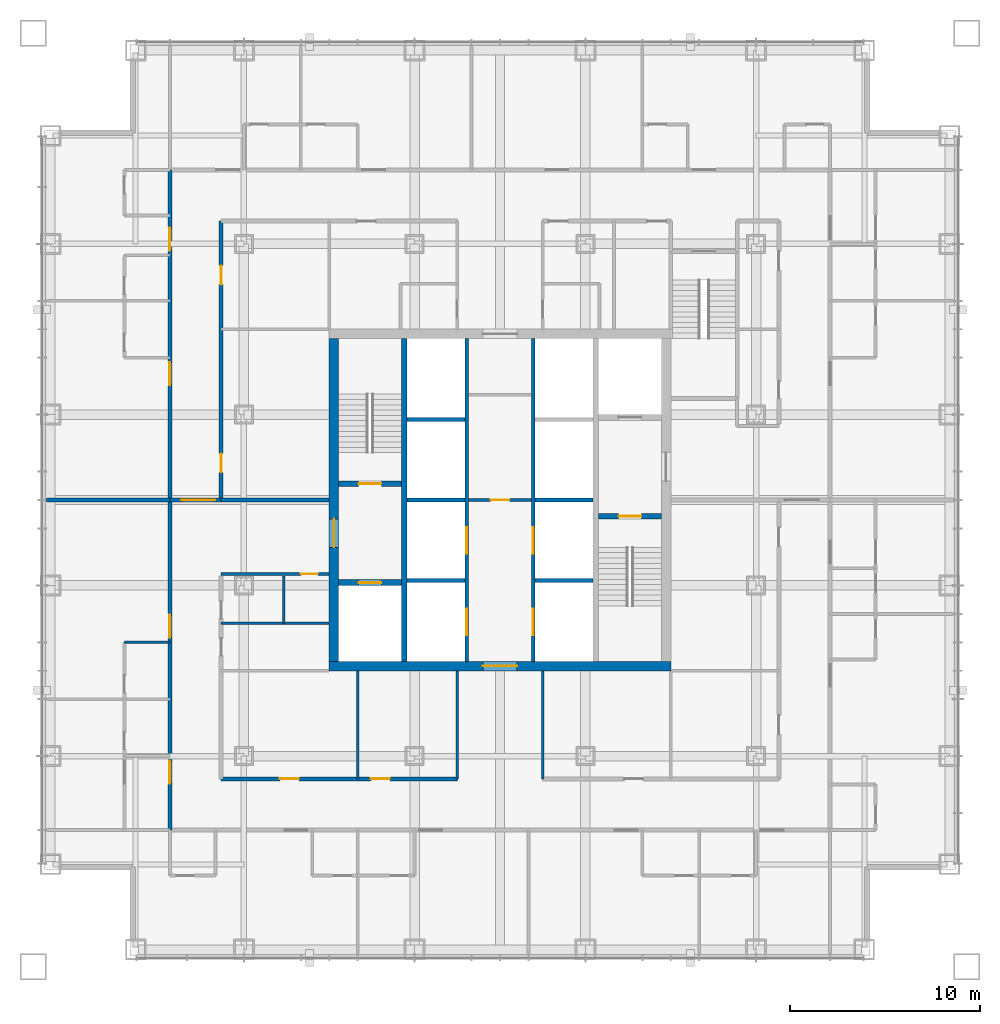
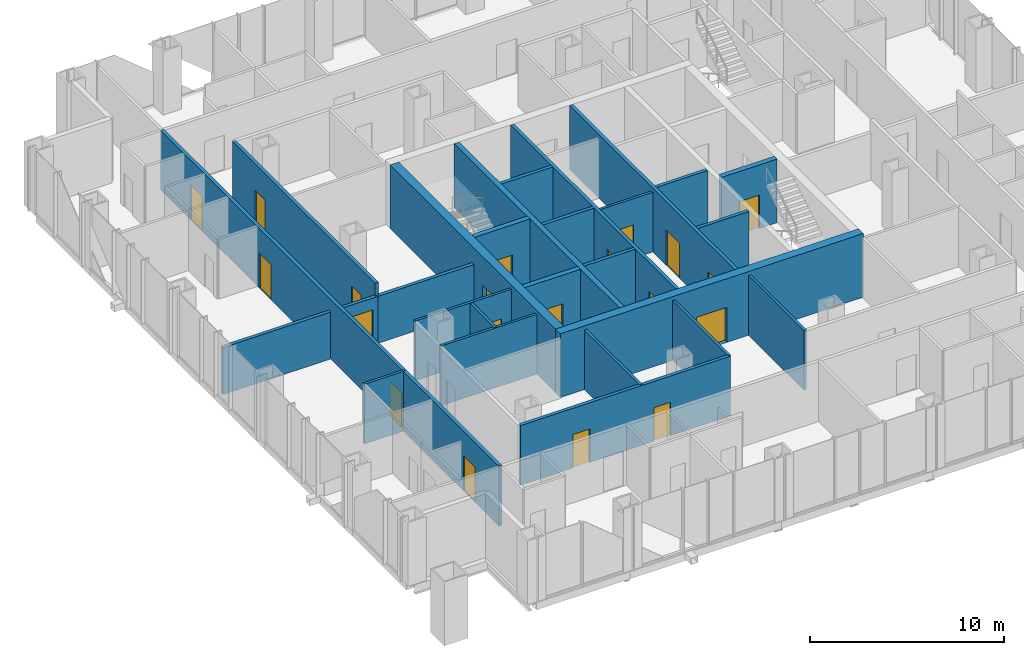
# One storey, part 9 of 14: 27 walls, 20 doors, 20 openings.
"""IFC4 building model written with IfcOpenShell, lengths in metres."""

from ifc_helpers import new_model, si_unit, direction, frame, frame_2d, origin, place, context, subcontext, project, spatial, rectangle, extrude, material, layer, layer_set, type_object, element, fill, save


model = new_model("IFC4")

# Units and contexts
model_context = context("Model", 3, precision=1e-05, world=origin(), true_north=direction((0.0, 1.0)))
body_context = subcontext(model_context, "Body", "Model", "MODEL_VIEW")
ifc_project = project(units=[si_unit("LENGTHUNIT", "METRE"), si_unit("AREAUNIT", "SQUARE_METRE"), si_unit("VOLUMEUNIT", "CUBIC_METRE"), si_unit("PLANEANGLEUNIT", "RADIAN"), si_unit("MASSUNIT", "GRAM", prefix="KILO")], contexts=[model_context])

# Site, building, storey
site_placement = place(None, origin())
site = spatial("IfcSite", under=ifc_project, at=site_placement, CompositionType="ELEMENT")
building_placement = place(site_placement, origin())
building = spatial("IfcBuilding", under=site, at=building_placement, Name="Malebo Sky Hospital", CompositionType="ELEMENT")
storey_placement = place(building_placement, frame((0.0, 0.0, 128.0)))
storey = spatial("IfcBuildingStorey", under=building, at=storey_placement, Name="L30", CompositionType="ELEMENT", Elevation=128.0)

# Wall, openings, doors
ifc_material_1 = material(Name="Concrete C80/95", Category="concrete")
ifc_layer_1 = layer(ifc_material_1, 0.199951171875)
ifc_layer_set_1 = layer_set([ifc_layer_1], Name="CORE INNER WALL 200")
wall_type_1 = type_object("IfcWallType", Name="CORE INNER WALL 200", PredefinedType="SHEAR", material=ifc_layer_set_1)
wall_1_placement = place(storey_placement, frame((58.25, 53.5, 0.0), z_axis=(0.0, 0.0, 1.0), x_axis=(0.0, 1.0, 0.0)))
wall_1 = element("IfcWall", 1, at=wall_1_placement, inside=storey, type_object=wall_type_1, Name="Core wall LW L30", PredefinedType="SHEAR", context=body_context, shape_type="SweptSolid", body=[
    extrude(rectangle(XDim=17.0, YDim=0.199951171875, at=frame_2d((8.5, 0.0))), origin(), (0.0, 0.0, 1.0), 4.0),
])
opening_1_placement = place(wall_1_placement, frame((1.375, 0.0, 0.0)))
opening_1 = element("IfcOpeningElement", 2, at=opening_1_placement, cuts=wall_1, Name="Opening LD1", PredefinedType="OPENING", context=body_context, shape_type="SweptSolid", body=[
    extrude(rectangle(XDim=1.39990234375, YDim=2.199951171875, at=frame_2d((0.699951171875, 1.10009765625))), frame((0.0, 0.10986328125, 0.0), z_axis=(0.0, -1.0, 0.0), x_axis=(1.0, 0.0, 0.0)), (0.0, 0.0, 1.0), 0.219970703125),
])
opening_2_placement = place(wall_1_placement, frame((5.675048828125, 0.0, 0.0)))
opening_2 = element("IfcOpeningElement", 3, at=opening_2_placement, cuts=wall_1, Name="Opening LD1", PredefinedType="OPENING", context=body_context, shape_type="SweptSolid", body=[
    extrude(rectangle(XDim=1.39990234375, YDim=2.199951171875, at=frame_2d((0.699951171875, 1.10009765625))), frame((0.0, 0.10986328125, 0.0), z_axis=(0.0, -1.0, 0.0), x_axis=(1.0, 0.0, 0.0)), (0.0, 0.0, 1.0), 0.219970703125),
])
ifc_material_2 = material(Name="Stainless steel sliding landing door", Category="steel")
door_type_1 = type_object("IfcDoorType", Name="LIFT LANDING DOOR 1400", OperationType="SLIDING_TO_LEFT", PredefinedType="DOOR", material=ifc_material_2)
door_1_placement = place(opening_1_placement, origin())
door_1 = element("IfcDoor", 4, at=door_1_placement, inside=storey, type_object=door_type_1, Name="Lift W1 landing door", OperationType="SLIDING_TO_LEFT", OverallHeight=2.199951171875, OverallWidth=1.39990234375, PredefinedType="DOOR", context=body_context, shape_type="SweptSolid", body=[
    extrude(rectangle(XDim=1.39990234375, YDim=2.199951171875, at=frame_2d((0.699951171875, 1.10009765625))), frame((0.0, 0.02490234375, 0.0), z_axis=(0.0, -1.0, 0.0), x_axis=(1.0, 0.0, 0.0)), (0.0, 0.0, 1.0), 0.050048828125),
])
fill(opening_1, door_1)
door_2_placement = place(opening_2_placement, origin())
door_2 = element("IfcDoor", 5, at=door_2_placement, inside=storey, type_object=door_type_1, Name="Lift W2 landing door", OperationType="SLIDING_TO_LEFT", OverallHeight=2.199951171875, OverallWidth=1.39990234375, PredefinedType="DOOR", context=body_context, shape_type="SweptSolid", body=[
    extrude(rectangle(XDim=1.39990234375, YDim=2.199951171875, at=frame_2d((0.699951171875, 1.10009765625))), frame((0.0, 0.02490234375, 0.0), z_axis=(0.0, -1.0, 0.0), x_axis=(1.0, 0.0, 0.0)), (0.0, 0.0, 1.0), 0.050048828125),
])
fill(opening_2, door_2)

wall_2_placement = place(storey_placement, frame((61.75, 53.5, 0.0), z_axis=(0.0, 0.0, 1.0), x_axis=(0.0, 1.0, 0.0)))
wall_2 = element("IfcWall", 6, at=wall_2_placement, inside=storey, type_object=wall_type_1, Name="Core wall LE L30", PredefinedType="SHEAR", context=body_context, shape_type="SweptSolid", body=[
    extrude(rectangle(XDim=17.0, YDim=0.199951171875, at=frame_2d((8.5, 0.0))), origin(), (0.0, 0.0, 1.0), 4.0),
])
opening_3_placement = place(wall_2_placement, frame((1.375, 0.0, 0.0)))
opening_3 = element("IfcOpeningElement", 7, at=opening_3_placement, cuts=wall_2, Name="Opening LD1", PredefinedType="OPENING", context=body_context, shape_type="SweptSolid", body=[
    extrude(rectangle(XDim=1.39990234375, YDim=2.199951171875, at=frame_2d((0.699951171875, 1.10009765625))), frame((0.0, 0.10986328125, 0.0), z_axis=(0.0, -1.0, 0.0), x_axis=(1.0, 0.0, 0.0)), (0.0, 0.0, 1.0), 0.219970703125),
])
opening_4_placement = place(wall_2_placement, frame((5.675048828125, 0.0, 0.0)))
opening_4 = element("IfcOpeningElement", 8, at=opening_4_placement, cuts=wall_2, Name="Opening LD1", PredefinedType="OPENING", context=body_context, shape_type="SweptSolid", body=[
    extrude(rectangle(XDim=1.39990234375, YDim=2.199951171875, at=frame_2d((0.699951171875, 1.10009765625))), frame((0.0, 0.10986328125, 0.0), z_axis=(0.0, -1.0, 0.0), x_axis=(1.0, 0.0, 0.0)), (0.0, 0.0, 1.0), 0.219970703125),
])
door_3_placement = place(opening_3_placement, origin())
door_3 = element("IfcDoor", 9, at=door_3_placement, inside=storey, type_object=door_type_1, Name="Lift E1 landing door", OperationType="SLIDING_TO_LEFT", OverallHeight=2.199951171875, OverallWidth=1.39990234375, PredefinedType="DOOR", context=body_context, shape_type="SweptSolid", body=[
    extrude(rectangle(XDim=1.39990234375, YDim=2.199951171875, at=frame_2d((0.699951171875, 1.10009765625))), frame((0.0, 0.02490234375, 0.0), z_axis=(0.0, -1.0, 0.0), x_axis=(1.0, 0.0, 0.0)), (0.0, 0.0, 1.0), 0.050048828125),
])
fill(opening_3, door_3)
door_4_placement = place(opening_4_placement, origin())
door_4 = element("IfcDoor", 10, at=door_4_placement, inside=storey, type_object=door_type_1, Name="Lift E2 landing door", OperationType="SLIDING_TO_LEFT", OverallHeight=2.199951171875, OverallWidth=1.39990234375, PredefinedType="DOOR", context=body_context, shape_type="SweptSolid", body=[
    extrude(rectangle(XDim=1.39990234375, YDim=2.199951171875, at=frame_2d((0.699951171875, 1.10009765625))), frame((0.0, 0.02490234375, 0.0), z_axis=(0.0, -1.0, 0.0), x_axis=(1.0, 0.0, 0.0)), (0.0, 0.0, 1.0), 0.050048828125),
])
fill(opening_4, door_4)

# Walls
for number, where, z_axis, x_axis, name in (
    (11, (55.10009765625, 57.75, 0.0), (0.0, 0.0, 1.0), (1.0, 0.0, 0.0), "Core wall SW0 L30"),
    (12, (61.85009765625, 57.75, 0.0), (0.0, 0.0, 1.0), (1.0, 0.0, 0.0), "Core wall SE0 L30"),
    (13, (55.10009765625, 62.0, 0.0), (0.0, 0.0, 1.0), (1.0, 0.0, 0.0), "Core wall SW1 L30"),
    (14, (61.85009765625, 62.0, 0.0), (0.0, 0.0, 1.0), (1.0, 0.0, 0.0), "Core wall SE1 L30"),
    (15, (55.10009765625, 66.25, 0.0), (0.0, 0.0, 1.0), (1.0, 0.0, 0.0), "Core wall SW2 L30"),
):
    element("IfcWall", number, at=place(storey_placement, frame(where, z_axis=z_axis, x_axis=x_axis)), inside=storey, type_object=wall_type_1, Name=name, PredefinedType="SHEAR", context=body_context, shape_type="SweptSolid", body=[
        extrude(rectangle(XDim=3.0498046875, YDim=0.199951171875, at=frame_2d((1.52490234375, 0.0))), origin(), (0.0, 0.0, 1.0), 4.0),
    ])
ifc_layer_2 = layer(ifc_material_1, 0.300048828125)
ifc_layer_set_2 = layer_set([ifc_layer_2], Name="CORE INNER WALL 300")
wall_type_2 = type_object("IfcWallType", Name="CORE INNER WALL 300", PredefinedType="SHEAR", material=ifc_layer_set_2)
wall_3_placement = place(storey_placement, frame((54.949951171875, 53.5, 0.0), z_axis=(0.0, 0.0, 1.0), x_axis=(0.0, 1.0, 0.0)))
element("IfcWall", 16, at=wall_3_placement, inside=storey, type_object=wall_type_2, Name="Core wall XW L30", PredefinedType="SHEAR", context=body_context, shape_type="SweptSolid", body=[
    extrude(rectangle(XDim=17.0, YDim=0.300048828125, at=frame_2d((8.5, 0.0))), origin(), (0.0, 0.0, 1.0), 4.0),
])

# Wall, opening, door
wall_4_placement = place(storey_placement, frame((51.5, 62.85009765625, 0.0), z_axis=(0.0, 0.0, 1.0), x_axis=(1.0, 0.0, 0.0)))
wall_4 = element("IfcWall", 17, at=wall_4_placement, inside=storey, type_object=wall_type_2, Name="Core wall W1 L30", PredefinedType="SHEAR", context=body_context, shape_type="SweptSolid", body=[
    extrude(rectangle(XDim=3.300048828125, YDim=0.300048828125, at=frame_2d((1.64990234375, 0.0))), origin(), (0.0, 0.0, 1.0), 4.0),
])
opening_5_placement = place(wall_4_placement, frame((1.050048828125, 0.0, 0.0)))
opening_5 = element("IfcOpeningElement", 18, at=opening_5_placement, cuts=wall_4, Name="Opening D08", PredefinedType="OPENING", context=body_context, shape_type="SweptSolid", body=[
    extrude(rectangle(XDim=1.199951171875, YDim=2.10009765625, at=frame_2d((0.60009765625, 1.050048828125))), frame((0.0, 0.159912109375, 0.0), z_axis=(0.0, -1.0, 0.0), x_axis=(1.0, 0.0, 0.0)), (0.0, 0.0, 1.0), 0.320068359375),
])
ifc_material_3 = material(Name="Hardwood-faced door leaf in steel frame", Category="steel")
door_type_2 = type_object("IfcDoorType", Name="STAIR DOOR 1200", OperationType="SINGLE_SWING_LEFT", PredefinedType="DOOR", material=ifc_material_3)
door_5_placement = place(opening_5_placement, origin())
door_5 = element("IfcDoor", 19, at=door_5_placement, inside=storey, type_object=door_type_2, Name="Stair S1 door", OperationType="SINGLE_SWING_LEFT", OverallHeight=2.10009765625, OverallWidth=1.199951171875, PredefinedType="DOOR", context=body_context, shape_type="SweptSolid", body=[
    extrude(rectangle(XDim=1.199951171875, YDim=2.10009765625, at=frame_2d((0.60009765625, 1.050048828125))), frame((0.0, 0.02490234375, 0.0), z_axis=(0.0, -1.0, 0.0), x_axis=(1.0, 0.0, 0.0)), (0.0, 0.0, 1.0), 0.050048828125),
])
fill(opening_5, door_5)

wall_5_placement = place(storey_placement, frame((51.5, 57.64990234375, 0.0), z_axis=(0.0, 0.0, 1.0), x_axis=(1.0, 0.0, 0.0)))
wall_5 = element("IfcWall", 20, at=wall_5_placement, inside=storey, type_object=wall_type_2, Name="Core wall W2 L30", PredefinedType="SHEAR", context=body_context, shape_type="SweptSolid", body=[
    extrude(rectangle(XDim=3.300048828125, YDim=0.300048828125, at=frame_2d((1.64990234375, 0.0))), origin(), (0.0, 0.0, 1.0), 4.0),
])
opening_6_placement = place(wall_5_placement, frame((1.050048828125, 0.0, 0.0)))
opening_6 = element("IfcOpeningElement", 21, at=opening_6_placement, cuts=wall_5, Name="Opening LD2", PredefinedType="OPENING", context=body_context, shape_type="SweptSolid", body=[
    extrude(rectangle(XDim=1.199951171875, YDim=2.199951171875, at=frame_2d((0.60009765625, 1.10009765625))), frame((0.0, 0.159912109375, 0.0), z_axis=(0.0, -1.0, 0.0), x_axis=(1.0, 0.0, 0.0)), (0.0, 0.0, 1.0), 0.320068359375),
])
door_type_3 = type_object("IfcDoorType", Name="FIRE-FIGHTING LIFT LANDING DOOR 1200", OperationType="SLIDING_TO_LEFT", PredefinedType="DOOR", material=ifc_material_2)
door_6_placement = place(opening_6_placement, origin())
door_6 = element("IfcDoor", 22, at=door_6_placement, inside=storey, type_object=door_type_3, Name="Lift FL1 landing door", OperationType="SLIDING_TO_LEFT", OverallHeight=2.199951171875, OverallWidth=1.199951171875, PredefinedType="DOOR", context=body_context, shape_type="SweptSolid", body=[
    extrude(rectangle(XDim=1.199951171875, YDim=2.199951171875, at=frame_2d((0.60009765625, 1.10009765625))), frame((0.0, 0.02490234375, 0.0), z_axis=(0.0, -1.0, 0.0), x_axis=(1.0, 0.0, 0.0)), (0.0, 0.0, 1.0), 0.050048828125),
])
fill(opening_6, door_6)

wall_6_placement = place(storey_placement, frame((65.199951171875, 61.14990234375, 0.0), z_axis=(0.0, 0.0, 1.0), x_axis=(1.0, 0.0, 0.0)))
wall_6 = element("IfcWall", 23, at=wall_6_placement, inside=storey, type_object=wall_type_2, Name="Core wall E1 L30", PredefinedType="SHEAR", context=body_context, shape_type="SweptSolid", body=[
    extrude(rectangle(XDim=3.300048828125, YDim=0.300048828125, at=frame_2d((1.64990234375, 0.0))), origin(), (0.0, 0.0, 1.0), 4.0),
])
opening_7_placement = place(wall_6_placement, frame((1.050048828125, 0.0, 0.0)))
opening_7 = element("IfcOpeningElement", 24, at=opening_7_placement, cuts=wall_6, Name="Opening D08", PredefinedType="OPENING", context=body_context, shape_type="SweptSolid", body=[
    extrude(rectangle(XDim=1.199951171875, YDim=2.10009765625, at=frame_2d((0.60009765625, 1.050048828125))), frame((0.0, 0.159912109375, 0.0), z_axis=(0.0, -1.0, 0.0), x_axis=(1.0, 0.0, 0.0)), (0.0, 0.0, 1.0), 0.320068359375),
])
door_7_placement = place(opening_7_placement, origin())
door_7 = element("IfcDoor", 25, at=door_7_placement, inside=storey, type_object=door_type_2, Name="Stair S2 door", OperationType="SINGLE_SWING_LEFT", OverallHeight=2.10009765625, OverallWidth=1.199951171875, PredefinedType="DOOR", context=body_context, shape_type="SweptSolid", body=[
    extrude(rectangle(XDim=1.199951171875, YDim=2.10009765625, at=frame_2d((0.60009765625, 1.050048828125))), frame((0.0, 0.02490234375, 0.0), z_axis=(0.0, -1.0, 0.0), x_axis=(1.0, 0.0, 0.0)), (0.0, 0.0, 1.0), 0.050048828125),
])
fill(opening_7, door_7)

ifc_layer_3 = layer(ifc_material_1, 0.5)
ifc_layer_set_3 = layer_set([ifc_layer_3], Name="CORE WALL 500")
wall_type_3 = type_object("IfcWallType", Name="CORE WALL 500", PredefinedType="SHEAR", material=ifc_layer_set_3)
wall_7_placement = place(storey_placement, frame((51.0, 53.25, 0.0), z_axis=(0.0, 0.0, 1.0), x_axis=(1.0, 0.0, 0.0)))
wall_7 = element("IfcWall", 26, at=wall_7_placement, inside=storey, type_object=wall_type_3, Name="Core wall S L30", PredefinedType="SHEAR", context=body_context, shape_type="SweptSolid", body=[
    extrude(rectangle(XDim=18.0, YDim=0.5, at=frame_2d((9.0, 0.0))), origin(), (0.0, 0.0, 1.0), 4.0),
])
opening_8_placement = place(wall_7_placement, frame((8.10009765625, 0.0, 0.0)))
opening_8 = element("IfcOpeningElement", 27, at=opening_8_placement, cuts=wall_7, Name="Opening D06", PredefinedType="OPENING", context=body_context, shape_type="SweptSolid", body=[
    extrude(rectangle(XDim=1.800048828125, YDim=2.199951171875, at=frame_2d((0.89990234375, 1.10009765625))), frame((0.0, 0.260009765625, 0.0), z_axis=(0.0, -1.0, 0.0), x_axis=(1.0, 0.0, 0.0)), (0.0, 0.0, 1.0), 0.52001953125),
])
door_type_4 = type_object("IfcDoorType", Name="LOBBY DOOR PAIR 1800", OperationType="DOUBLE_DOOR_SINGLE_SWING", PredefinedType="DOOR", material=ifc_material_3)
door_8_placement = place(opening_8_placement, origin())
door_8 = element("IfcDoor", 28, at=door_8_placement, inside=storey, type_object=door_type_4, Name="Lift lobby door south", OperationType="DOUBLE_DOOR_SINGLE_SWING", OverallHeight=2.199951171875, OverallWidth=1.800048828125, PredefinedType="DOOR", context=body_context, shape_type="SweptSolid", body=[
    extrude(rectangle(XDim=1.800048828125, YDim=2.199951171875, at=frame_2d((0.89990234375, 1.10009765625))), frame((0.0, 0.02490234375, 0.0), z_axis=(0.0, -1.0, 0.0), x_axis=(1.0, 0.0, 0.0)), (0.0, 0.0, 1.0), 0.050048828125),
])
fill(opening_8, door_8)

wall_8_placement = place(storey_placement, frame((51.25, 53.5, 0.0), z_axis=(0.0, 0.0, 1.0), x_axis=(0.0, 1.0, 0.0)))
wall_8 = element("IfcWall", 29, at=wall_8_placement, inside=storey, type_object=wall_type_3, Name="Core wall W L30", PredefinedType="SHEAR", context=body_context, shape_type="SweptSolid", body=[
    extrude(rectangle(XDim=17.0, YDim=0.5, at=frame_2d((8.5, 0.0))), origin(), (0.0, 0.0, 1.0), 4.0),
])
opening_9_placement = place(wall_8_placement, frame((6.0, 0.0, 0.0)))
opening_9 = element("IfcOpeningElement", 30, at=opening_9_placement, cuts=wall_8, Name="Opening D07", PredefinedType="OPENING", context=body_context, shape_type="SweptSolid", body=[
    extrude(rectangle(XDim=1.5, YDim=2.199951171875, at=frame_2d((0.75, 1.10009765625))), frame((0.0, 0.260009765625, 0.0), z_axis=(0.0, -1.0, 0.0), x_axis=(1.0, 0.0, 0.0)), (0.0, 0.0, 1.0), 0.52001953125),
])
door_type_5 = type_object("IfcDoorType", Name="FIRE-FIGHTING LOBBY DOOR PAIR 1500", OperationType="DOUBLE_DOOR_SINGLE_SWING", PredefinedType="DOOR", material=ifc_material_3)
door_9_placement = place(opening_9_placement, origin())
door_9 = element("IfcDoor", 31, at=door_9_placement, inside=storey, type_object=door_type_5, Name="Fire-fighting lobby door west", OperationType="DOUBLE_DOOR_SINGLE_SWING", OverallHeight=2.199951171875, OverallWidth=1.5, PredefinedType="DOOR", context=body_context, shape_type="SweptSolid", body=[
    extrude(rectangle(XDim=1.5, YDim=2.199951171875, at=frame_2d((0.75, 1.10009765625))), frame((0.0, 0.02490234375, 0.0), z_axis=(0.0, -1.0, 0.0), x_axis=(1.0, 0.0, 0.0)), (0.0, 0.0, 1.0), 0.050048828125),
])
fill(opening_9, door_9)

# Wall, openings, doors
ifc_material_4 = material(Name="Gypsum board on steel studs", Category="steel")
ifc_layer_4 = layer(ifc_material_4, 0.199951171875)
ifc_layer_set_4 = layer_set([ifc_layer_4], Name="CORRIDOR WALL 200")
wall_type_4 = type_object("IfcWallType", Name="CORRIDOR WALL 200", PredefinedType="PARTITIONING", material=ifc_layer_set_4)
wall_9_placement = place(storey_placement, frame((42.60009765625, 44.60009765625, 0.0), z_axis=(0.0, 0.0, 1.0), x_axis=(0.0, 1.0, 0.0)))
wall_9 = element("IfcWall", 32, at=wall_9_placement, inside=storey, type_object=wall_type_4, Name="Corridor Wall 200 WCO", PredefinedType="PARTITIONING", context=body_context, shape_type="SweptSolid", body=[
    extrude(rectangle(XDim=34.7998046875, YDim=0.199951171875, at=frame_2d((17.39990234375, 0.0))), origin(), (0.0, 0.0, 1.0), 3.75),
])
opening_10_placement = place(wall_9_placement, frame((2.449951171875, 0.0, 0.0)))
opening_10 = element("IfcOpeningElement", 33, at=opening_10_placement, cuts=wall_9, Name="Opening D18", PredefinedType="OPENING", context=body_context, shape_type="SweptSolid", body=[
    extrude(rectangle(XDim=1.199951171875, YDim=2.199951171875, at=frame_2d((0.60009765625, 1.10009765625))), frame((0.0, 0.10986328125, 0.0), z_axis=(0.0, -1.0, 0.0), x_axis=(1.0, 0.0, 0.0)), (0.0, 0.0, 1.0), 0.219970703125),
])
opening_11_placement = place(wall_9_placement, frame((10.14990234375, 0.0, 0.0)))
opening_11 = element("IfcOpeningElement", 34, at=opening_11_placement, cuts=wall_9, Name="Opening D01", PredefinedType="OPENING", context=body_context, shape_type="SweptSolid", body=[
    extrude(rectangle(XDim=1.199951171875, YDim=2.199951171875, at=frame_2d((0.60009765625, 1.10009765625))), frame((0.0, 0.10986328125, 0.0), z_axis=(0.0, -1.0, 0.0), x_axis=(1.0, 0.0, 0.0)), (0.0, 0.0, 1.0), 0.219970703125),
])
opening_12_placement = place(wall_9_placement, frame((23.449951171875, 0.0, 0.0)))
opening_12 = element("IfcOpeningElement", 35, at=opening_12_placement, cuts=wall_9, Name="Opening D01", PredefinedType="OPENING", context=body_context, shape_type="SweptSolid", body=[
    extrude(rectangle(XDim=1.199951171875, YDim=2.199951171875, at=frame_2d((0.60009765625, 1.10009765625))), frame((0.0, 0.10986328125, 0.0), z_axis=(0.0, -1.0, 0.0), x_axis=(1.0, 0.0, 0.0)), (0.0, 0.0, 1.0), 0.219970703125),
])
opening_13_placement = place(wall_9_placement, frame((30.550048828125, 0.0, 0.0)))
opening_13 = element("IfcOpeningElement", 36, at=opening_13_placement, cuts=wall_9, Name="Opening D01", PredefinedType="OPENING", context=body_context, shape_type="SweptSolid", body=[
    extrude(rectangle(XDim=1.199951171875, YDim=2.199951171875, at=frame_2d((0.60009765625, 1.10009765625))), frame((0.0, 0.10986328125, 0.0), z_axis=(0.0, -1.0, 0.0), x_axis=(1.0, 0.0, 0.0)), (0.0, 0.0, 1.0), 0.219970703125),
])
door_type_6 = type_object("IfcDoorType", Name="ANTEROOM DOOR 1200", OperationType="SINGLE_SWING_LEFT", PredefinedType="DOOR", material=ifc_material_3)
door_10_placement = place(opening_10_placement, origin())
door_10 = element("IfcDoor", 37, at=door_10_placement, inside=storey, type_object=door_type_6, Name="Anteroom door", OperationType="SINGLE_SWING_RIGHT", OverallHeight=2.199951171875, OverallWidth=1.199951171875, PredefinedType="DOOR", context=body_context, shape_type="SweptSolid", body=[
    extrude(rectangle(XDim=1.199951171875, YDim=2.199951171875, at=frame_2d((0.60009765625, 1.10009765625))), frame((0.0, 0.02490234375, 0.0), z_axis=(0.0, -1.0, 0.0), x_axis=(1.0, 0.0, 0.0)), (0.0, 0.0, 1.0), 0.050048828125),
])
fill(opening_10, door_10)
door_type_7 = type_object("IfcDoorType", Name="BED DOOR 1200", OperationType="SINGLE_SWING_LEFT", PredefinedType="DOOR", material=ifc_material_3)
door_11_placement = place(opening_11_placement, origin())
door_11 = element("IfcDoor", 38, at=door_11_placement, inside=storey, type_object=door_type_7, Name="Two-bed room door", OperationType="SINGLE_SWING_LEFT", OverallHeight=2.199951171875, OverallWidth=1.199951171875, PredefinedType="DOOR", context=body_context, shape_type="SweptSolid", body=[
    extrude(rectangle(XDim=1.199951171875, YDim=2.199951171875, at=frame_2d((0.60009765625, 1.10009765625))), frame((0.0, 0.02490234375, 0.0), z_axis=(0.0, -1.0, 0.0), x_axis=(1.0, 0.0, 0.0)), (0.0, 0.0, 1.0), 0.050048828125),
])
fill(opening_11, door_11)
door_12_placement = place(opening_12_placement, origin())
door_12 = element("IfcDoor", 39, at=door_12_placement, inside=storey, type_object=door_type_7, Name="Two-bed room door", OperationType="SINGLE_SWING_RIGHT", OverallHeight=2.199951171875, OverallWidth=1.199951171875, PredefinedType="DOOR", context=body_context, shape_type="SweptSolid", body=[
    extrude(rectangle(XDim=1.199951171875, YDim=2.199951171875, at=frame_2d((0.60009765625, 1.10009765625))), frame((0.0, 0.02490234375, 0.0), z_axis=(0.0, -1.0, 0.0), x_axis=(1.0, 0.0, 0.0)), (0.0, 0.0, 1.0), 0.050048828125),
])
fill(opening_12, door_12)
door_13_placement = place(opening_13_placement, origin())
door_13 = element("IfcDoor", 40, at=door_13_placement, inside=storey, type_object=door_type_7, Name="Four-bed bay door", OperationType="SINGLE_SWING_LEFT", OverallHeight=2.199951171875, OverallWidth=1.199951171875, PredefinedType="DOOR", context=body_context, shape_type="SweptSolid", body=[
    extrude(rectangle(XDim=1.199951171875, YDim=2.199951171875, at=frame_2d((0.60009765625, 1.10009765625))), frame((0.0, 0.02490234375, 0.0), z_axis=(0.0, -1.0, 0.0), x_axis=(1.0, 0.0, 0.0)), (0.0, 0.0, 1.0), 0.050048828125),
])
fill(opening_13, door_13)

wall_10_placement = place(storey_placement, frame((45.300048828125, 62.0, 0.0), z_axis=(0.0, 0.0, 1.0), x_axis=(0.0, 1.0, 0.0)))
wall_10 = element("IfcWall", 41, at=wall_10_placement, inside=storey, type_object=wall_type_4, Name="Corridor Wall 200 WCI2", PredefinedType="PARTITIONING", context=body_context, shape_type="SweptSolid", body=[
    extrude(rectangle(XDim=14.699951171875, YDim=0.199951171875, at=frame_2d((7.35009765625, 0.0))), origin(), (0.0, 0.0, 1.0), 3.75),
])
opening_14_placement = place(wall_10_placement, frame((1.449951171875, 0.0, 0.0)))
opening_14 = element("IfcOpeningElement", 42, at=opening_14_placement, cuts=wall_10, Name="Opening D03", PredefinedType="OPENING", context=body_context, shape_type="SweptSolid", body=[
    extrude(rectangle(XDim=1.0, YDim=2.10009765625, at=frame_2d((0.5, 1.050048828125))), frame((0.0, 0.10986328125, 0.0), z_axis=(0.0, -1.0, 0.0), x_axis=(1.0, 0.0, 0.0)), (0.0, 0.0, 1.0), 0.219970703125),
])
opening_15_placement = place(wall_10_placement, frame((11.35009765625, 0.0, 0.0)))
opening_15 = element("IfcOpeningElement", 43, at=opening_15_placement, cuts=wall_10, Name="Opening D03", PredefinedType="OPENING", context=body_context, shape_type="SweptSolid", body=[
    extrude(rectangle(XDim=1.0, YDim=2.10009765625, at=frame_2d((0.5, 1.050048828125))), frame((0.0, 0.10986328125, 0.0), z_axis=(0.0, -1.0, 0.0), x_axis=(1.0, 0.0, 0.0)), (0.0, 0.0, 1.0), 0.219970703125),
])
door_type_8 = type_object("IfcDoorType", Name="ROOM DOOR 1000", OperationType="SINGLE_SWING_LEFT", PredefinedType="DOOR", material=ifc_material_3)
door_14_placement = place(opening_14_placement, origin())
door_14 = element("IfcDoor", 44, at=door_14_placement, inside=storey, type_object=door_type_8, Name="Nurse station door", OperationType="SINGLE_SWING_LEFT", OverallHeight=2.10009765625, OverallWidth=1.0, PredefinedType="DOOR", context=body_context, shape_type="SweptSolid", body=[
    extrude(rectangle(XDim=1.0, YDim=2.10009765625, at=frame_2d((0.5, 1.050048828125))), frame((0.0, 0.02490234375, 0.0), z_axis=(0.0, -1.0, 0.0), x_axis=(1.0, 0.0, 0.0)), (0.0, 0.0, 1.0), 0.050048828125),
])
fill(opening_14, door_14)
door_15_placement = place(opening_15_placement, origin())
door_15 = element("IfcDoor", 45, at=door_15_placement, inside=storey, type_object=door_type_8, Name="Staff base door", OperationType="SINGLE_SWING_RIGHT", OverallHeight=2.10009765625, OverallWidth=1.0, PredefinedType="DOOR", context=body_context, shape_type="SweptSolid", body=[
    extrude(rectangle(XDim=1.0, YDim=2.10009765625, at=frame_2d((0.5, 1.050048828125))), frame((0.0, 0.02490234375, 0.0), z_axis=(0.0, -1.0, 0.0), x_axis=(1.0, 0.0, 0.0)), (0.0, 0.0, 1.0), 0.050048828125),
])
fill(opening_15, door_15)

wall_11_placement = place(storey_placement, frame((57.75, 47.300048828125, 0.0), z_axis=(0.0, 0.0, 1.0), x_axis=(-1.0, 0.0, 0.0)))
wall_11 = element("IfcWall", 46, at=wall_11_placement, inside=storey, type_object=wall_type_4, Name="Corridor Wall 200 SCI2", PredefinedType="PARTITIONING", context=body_context, shape_type="SweptSolid", body=[
    extrude(rectangle(XDim=12.449951171875, YDim=0.199951171875, at=frame_2d((6.22509765625, 0.0))), origin(), (0.0, 0.0, 1.0), 3.75),
])
opening_16_placement = place(wall_11_placement, frame((3.550048828125, 0.0, 0.0)))
opening_16 = element("IfcOpeningElement", 47, at=opening_16_placement, cuts=wall_11, Name="Opening D03", PredefinedType="OPENING", context=body_context, shape_type="SweptSolid", body=[
    extrude(rectangle(XDim=1.0, YDim=2.10009765625, at=frame_2d((0.5, 1.050048828125))), frame((0.0, 0.10986328125, 0.0), z_axis=(0.0, -1.0, 0.0), x_axis=(1.0, 0.0, 0.0)), (0.0, 0.0, 1.0), 0.219970703125),
])
opening_17_placement = place(wall_11_placement, frame((8.35009765625, 0.0, 0.0)))
opening_17 = element("IfcOpeningElement", 48, at=opening_17_placement, cuts=wall_11, Name="Opening D03", PredefinedType="OPENING", context=body_context, shape_type="SweptSolid", body=[
    extrude(rectangle(XDim=1.0, YDim=2.10009765625, at=frame_2d((0.5, 1.050048828125))), frame((0.0, 0.10986328125, 0.0), z_axis=(0.0, -1.0, 0.0), x_axis=(1.0, 0.0, 0.0)), (0.0, 0.0, 1.0), 0.219970703125),
])
door_16_placement = place(opening_16_placement, origin())
door_16 = element("IfcDoor", 49, at=door_16_placement, inside=storey, type_object=door_type_8, Name="Consulting room door", OperationType="SINGLE_SWING_RIGHT", OverallHeight=2.10009765625, OverallWidth=1.0, PredefinedType="DOOR", context=body_context, shape_type="SweptSolid", body=[
    extrude(rectangle(XDim=1.0, YDim=2.10009765625, at=frame_2d((0.5, 1.050048828125))), frame((0.0, 0.02490234375, 0.0), z_axis=(0.0, -1.0, 0.0), x_axis=(1.0, 0.0, 0.0)), (0.0, 0.0, 1.0), 0.050048828125),
])
fill(opening_16, door_16)
door_17_placement = place(opening_17_placement, origin())
door_17 = element("IfcDoor", 50, at=door_17_placement, inside=storey, type_object=door_type_8, Name="Treatment room door", OperationType="SINGLE_SWING_RIGHT", OverallHeight=2.10009765625, OverallWidth=1.0, PredefinedType="DOOR", context=body_context, shape_type="SweptSolid", body=[
    extrude(rectangle(XDim=1.0, YDim=2.10009765625, at=frame_2d((0.5, 1.050048828125))), frame((0.0, 0.02490234375, 0.0), z_axis=(0.0, -1.0, 0.0), x_axis=(1.0, 0.0, 0.0)), (0.0, 0.0, 1.0), 0.050048828125),
])
fill(opening_17, door_17)

# Wall
ifc_layer_5 = layer(ifc_material_4, 0.14990234375)
ifc_layer_set_5 = layer_set([ifc_layer_5], Name="PARTITION 150")
wall_type_5 = type_object("IfcWallType", Name="PARTITION 150", PredefinedType="PARTITIONING", material=ifc_layer_set_5)
wall_12_placement = place(storey_placement, frame((42.60009765625, 54.5, 0.0), z_axis=(0.0, 0.0, 1.0), x_axis=(-1.0, 0.0, 0.0)))
element("IfcWall", 51, at=wall_12_placement, inside=storey, type_object=wall_type_5, Name="Partition 150 WE1S", PredefinedType="PARTITIONING", context=body_context, shape_type="SweptSolid", body=[
    extrude(rectangle(XDim=2.400146484375, YDim=0.14990234375, at=frame_2d((1.2001953125, 0.0))), origin(), (0.0, 0.0, 1.0), 3.75),
])

# Wall, opening, door
wall_13_placement = place(storey_placement, frame((51.0, 58.10009765625, 0.0), z_axis=(0.0, 0.0, 1.0), x_axis=(-1.0, 0.0, 0.0)))
wall_13 = element("IfcWall", 52, at=wall_13_placement, inside=storey, type_object=wall_type_5, Name="Partition 150 WSPA", PredefinedType="PARTITIONING", context=body_context, shape_type="SweptSolid", body=[
    extrude(rectangle(XDim=5.699951171875, YDim=0.14990234375, at=frame_2d((2.85009765625, 0.0))), origin(), (0.0, 0.0, 1.0), 3.75),
])
opening_18_placement = place(wall_13_placement, frame((0.60009765625, 0.0, 0.0)))
opening_18 = element("IfcOpeningElement", 53, at=opening_18_placement, cuts=wall_13, Name="Opening D04", PredefinedType="OPENING", context=body_context, shape_type="SweptSolid", body=[
    extrude(rectangle(XDim=0.89990234375, YDim=2.10009765625, at=frame_2d((0.449951171875, 1.050048828125))), frame((0.0, 0.0849609375, 0.0), z_axis=(0.0, -1.0, 0.0), x_axis=(1.0, 0.0, 0.0)), (0.0, 0.0, 1.0), 0.169921875),
])
door_type_9 = type_object("IfcDoorType", Name="ROOM DOOR 900", OperationType="SINGLE_SWING_LEFT", PredefinedType="DOOR", material=ifc_material_3)
door_18_placement = place(opening_18_placement, origin())
door_18 = element("IfcDoor", 54, at=door_18_placement, inside=storey, type_object=door_type_9, Name="Cleaner's room door", OperationType="SINGLE_SWING_LEFT", OverallHeight=2.10009765625, OverallWidth=0.89990234375, PredefinedType="DOOR", context=body_context, shape_type="SweptSolid", body=[
    extrude(rectangle(XDim=0.89990234375, YDim=2.10009765625, at=frame_2d((0.449951171875, 1.050048828125))), frame((0.0, 0.02490234375, 0.0), z_axis=(0.0, -1.0, 0.0), x_axis=(1.0, 0.0, 0.0)), (0.0, 0.0, 1.0), 0.050048828125),
])
fill(opening_18, door_18)

# Walls
wall_14_placement = place(storey_placement, frame((51.0, 55.5, 0.0), z_axis=(0.0, 0.0, 1.0), x_axis=(-1.0, 0.0, 0.0)))
element("IfcWall", 55, at=wall_14_placement, inside=storey, type_object=wall_type_5, Name="Partition 150 WSP-6.5", PredefinedType="PARTITIONING", context=body_context, shape_type="SweptSolid", body=[
    extrude(rectangle(XDim=5.699951171875, YDim=0.14990234375, at=frame_2d((2.85009765625, 0.0))), origin(), (0.0, 0.0, 1.0), 3.75),
])
wall_15_placement = place(storey_placement, frame((48.60009765625, 55.5, 0.0), z_axis=(0.0, 0.0, 1.0), x_axis=(0.0, 1.0, 0.0)))
element("IfcWall", 56, at=wall_15_placement, inside=storey, type_object=wall_type_5, Name="Partition 150 WSX1", PredefinedType="PARTITIONING", context=body_context, shape_type="SweptSolid", body=[
    extrude(rectangle(XDim=2.5, YDim=0.14990234375, at=frame_2d((1.25, 0.0))), origin(), (0.0, 0.0, 1.0), 3.75),
])
for number, where, z_axis, x_axis, name in (
    (57, (62.25, 53.0, 0.0), (0.0, 0.0, 1.0), (0.0, -1.0, 0.0), "Partition 150 SSPA"),
    (58, (57.75, 53.0, 0.0), (0.0, 0.0, 1.0), (0.0, -1.0, 0.0), "Partition 150 SSPB"),
    (59, (52.5, 53.0, 0.0), (0.0, 0.0, 1.0), (0.0, -1.0, 0.0), "Partition 150 SSP+7.5"),
):
    element("IfcWall", number, at=place(storey_placement, frame(where, z_axis=z_axis, x_axis=x_axis)), inside=storey, type_object=wall_type_5, Name=name, PredefinedType="PARTITIONING", context=body_context, shape_type="SweptSolid", body=[
        extrude(rectangle(XDim=5.699951171875, YDim=0.14990234375, at=frame_2d((2.85009765625, 0.0))), origin(), (0.0, 0.0, 1.0), 3.75),
    ])

# Wall, opening, door
wall_16_placement = place(storey_placement, frame((58.35009765625, 62.0, 0.0), z_axis=(0.0, 0.0, 1.0), x_axis=(1.0, 0.0, 0.0)))
wall_16 = element("IfcWall", 60, at=wall_16_placement, inside=storey, type_object=wall_type_5, Name="Partition 150 LBN", PredefinedType="PARTITIONING", context=body_context, shape_type="SweptSolid", body=[
    extrude(rectangle(XDim=3.2998046875, YDim=0.14990234375, at=frame_2d((1.64990234375, 0.0))), origin(), (0.0, 0.0, 1.0), 3.75),
])
opening_19_placement = place(wall_16_placement, frame((1.14990234375, 0.0, 0.0)))
opening_19 = element("IfcOpeningElement", 61, at=opening_19_placement, cuts=wall_16, Name="Opening D03", PredefinedType="OPENING", context=body_context, shape_type="SweptSolid", body=[
    extrude(rectangle(XDim=1.0, YDim=2.10009765625, at=frame_2d((0.5, 1.050048828125))), frame((0.0, 0.0849609375, 0.0), z_axis=(0.0, -1.0, 0.0), x_axis=(1.0, 0.0, 0.0)), (0.0, 0.0, 1.0), 0.169921875),
])
door_19_placement = place(opening_19_placement, origin())
door_19 = element("IfcDoor", 62, at=door_19_placement, inside=storey, type_object=door_type_8, Name="Housekeeping store door", OperationType="SINGLE_SWING_LEFT", OverallHeight=2.10009765625, OverallWidth=1.0, PredefinedType="DOOR", context=body_context, shape_type="SweptSolid", body=[
    extrude(rectangle(XDim=1.0, YDim=2.10009765625, at=frame_2d((0.5, 1.050048828125))), frame((0.0, 0.02490234375, 0.0), z_axis=(0.0, -1.0, 0.0), x_axis=(1.0, 0.0, 0.0)), (0.0, 0.0, 1.0), 0.050048828125),
])
fill(opening_19, door_19)

# Walls
ifc_material_5 = material(Name="Concrete blockwork", Category="masonry")
ifc_layer_6 = layer(ifc_material_5, 0.199951171875)
ifc_layer_set_6 = layer_set([ifc_layer_6], Name="SMOKE BARRIER WALL 200")
wall_type_6 = type_object("IfcWallType", Name="SMOKE BARRIER WALL 200", PredefinedType="SOLIDWALL", material=ifc_layer_set_6)
wall_17_placement = place(storey_placement, frame((42.60009765625, 62.0, 0.0), z_axis=(0.0, 0.0, 1.0), x_axis=(-1.0, 0.0, 0.0)))
element("IfcWall", 63, at=wall_17_placement, inside=storey, type_object=wall_type_6, Name="Smoke Barrier Wall 200 WP+0.0", PredefinedType="SOLIDWALL", context=body_context, shape_type="SweptSolid", body=[
    extrude(rectangle(XDim=6.510009765625, YDim=0.199951171875, at=frame_2d((3.2548828125, 0.0))), origin(), (0.0, 0.0, 1.0), 2.949951171875),
])
wall_18_placement = place(storey_placement, frame((51.0, 62.0, 0.0), z_axis=(0.0, 0.0, 1.0), x_axis=(-1.0, 0.0, 0.0)))
element("IfcWall", 64, at=wall_18_placement, inside=storey, type_object=wall_type_6, Name="Smoke Barrier Wall 200 WSPB", PredefinedType="SOLIDWALL", context=body_context, shape_type="SweptSolid", body=[
    extrude(rectangle(XDim=5.699951171875, YDim=0.199951171875, at=frame_2d((2.85009765625, 0.0))), origin(), (0.0, 0.0, 1.0), 2.949951171875),
])

# Wall, opening, door
wall_19_placement = place(storey_placement, frame((45.300048828125, 62.0, 0.0), z_axis=(0.0, 0.0, 1.0), x_axis=(-1.0, 0.0, 0.0)))
wall_19 = element("IfcWall", 65, at=wall_19_placement, inside=storey, type_object=wall_type_6, Name="Smoke Barrier Wall 200 WSB", PredefinedType="SOLIDWALL", context=body_context, shape_type="SweptSolid", body=[
    extrude(rectangle(XDim=2.699951171875, YDim=0.199951171875, at=frame_2d((1.35009765625, 0.0))), origin(), (0.0, 0.0, 1.0), 2.949951171875),
])
opening_20_placement = place(wall_19_placement, frame((0.300048828125, 0.0, 0.0)))
opening_20 = element("IfcOpeningElement", 66, at=opening_20_placement, cuts=wall_19, Name="Opening D05", PredefinedType="OPENING", context=body_context, shape_type="SweptSolid", body=[
    extrude(rectangle(XDim=1.800048828125, YDim=2.199951171875, at=frame_2d((0.89990234375, 1.10009765625))), frame((0.0, 0.10986328125, 0.0), z_axis=(0.0, -1.0, 0.0), x_axis=(1.0, 0.0, 0.0)), (0.0, 0.0, 1.0), 0.219970703125),
])
door_type_10 = type_object("IfcDoorType", Name="SMOKE DOOR PAIR 1800", OperationType="DOUBLE_DOOR_DOUBLE_SWING", PredefinedType="DOOR", material=ifc_material_3)
door_20_placement = place(opening_20_placement, origin())
door_20 = element("IfcDoor", 67, at=door_20_placement, inside=storey, type_object=door_type_10, Name="Smoke compartment door pair", OperationType="DOUBLE_DOOR_DOUBLE_SWING", OverallHeight=2.199951171875, OverallWidth=1.800048828125, PredefinedType="DOOR", context=body_context, shape_type="SweptSolid", body=[
    extrude(rectangle(XDim=1.800048828125, YDim=2.199951171875, at=frame_2d((0.89990234375, 1.10009765625))), frame((0.0, 0.02490234375, 0.0), z_axis=(0.0, -1.0, 0.0), x_axis=(1.0, 0.0, 0.0)), (0.0, 0.0, 1.0), 0.050048828125),
])
fill(opening_20, door_20)

save(model, "model.ifc")
